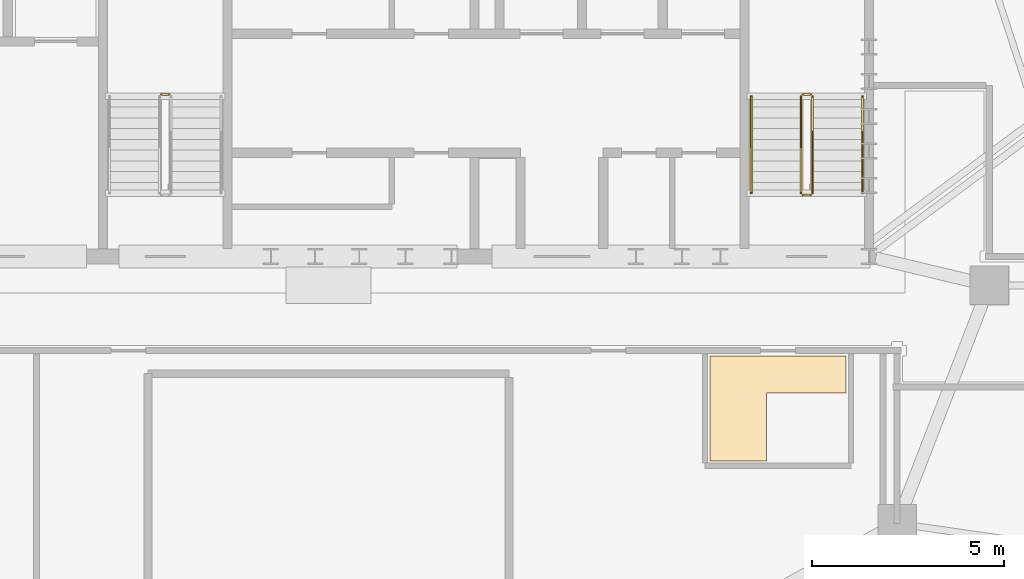
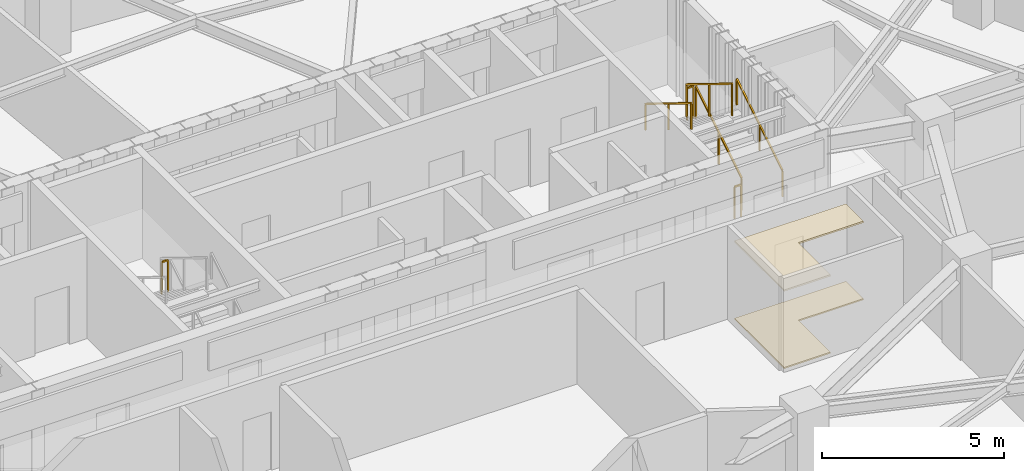
# One storey, part 10 of 10: 7 railings, 2 coverings.
"""IFC4 building model written with IfcOpenShell, lengths in metres."""

from ifc_helpers import new_model, si_unit, direction, frame, origin, origin_2d, place, context, subcontext, project, spatial, polyline, rectangle, outline, extrude, material, layer, layer_set, type_object, element, save


model = new_model("IFC4")

# Units and contexts
model_context = context("Model", 3, precision=1e-05, world=origin(), true_north=direction((0.0, 1.0)))
body_context = subcontext(model_context, "Body", "Model", "MODEL_VIEW")
ifc_project = project(units=[si_unit("LENGTHUNIT", "METRE"), si_unit("AREAUNIT", "SQUARE_METRE"), si_unit("VOLUMEUNIT", "CUBIC_METRE"), si_unit("PLANEANGLEUNIT", "RADIAN"), si_unit("MASSUNIT", "GRAM", prefix="KILO")], contexts=[model_context])

# Site, building, storey
site_placement = place(None, origin())
site = spatial("IfcSite", under=ifc_project, at=site_placement, CompositionType="ELEMENT")
building_placement = place(site_placement, origin())
building = spatial("IfcBuilding", under=site, at=building_placement, Name="Haldorwick Loom Tower", CompositionType="ELEMENT")
storey_placement = place(building_placement, frame((0.0, 0.0, 240.89990234375)))
storey = spatial("IfcBuildingStorey", under=building, at=storey_placement, Name="L65", CompositionType="ELEMENT", Elevation=240.89990234375)

# Coverings
ifc_material_1 = material(Name="Mineral Fibre Acoustic Ceiling Tile")
ifc_layer_1 = layer(ifc_material_1, 0.054931640625, Name="Mineral Fibre Acoustic Ceiling Tile")
ifc_layer_set_1 = layer_set([ifc_layer_1], Name="Mineral Fibre Acoustic Ceiling Tile")
covering_type_1 = type_object("IfcCoveringType", Name="ARC-COV-CEIL2", PredefinedType="CEILING", material=ifc_layer_set_1)
covering_1_placement = place(storey_placement, frame((0.0, 0.0, 2.59521484375)))
element("IfcCovering", 1, at=covering_1_placement, inside=storey, type_object=covering_type_1, Name="L65 Acoustic Suspended Ceiling 2", PredefinedType="CEILING", context=body_context, shape_type="SweptSolid", body=[
    extrude(outline(polyline([(45.929931640625, 24.159912109375), (45.929931640625, 21.429931640625), (47.39990234375, 21.429931640625), (47.39990234375, 23.199951171875), (49.469970703125, 23.199951171875), (49.469970703125, 24.159912109375), (45.929931640625, 24.159912109375)])), origin(), (0.0, 0.0, 1.0), 0.054931640625),
])
ifc_material_2 = material(Name="Polished Aggregate Terrazzo Finish")
ifc_layer_2 = layer(ifc_material_2, 0.044921875, Name="Polished Aggregate Terrazzo Finish")
ifc_layer_set_2 = layer_set([ifc_layer_2], Name="Polished Aggregate Terrazzo Finish")
covering_type_2 = type_object("IfcCoveringType", Name="ARC-COV-FLOOR2", PredefinedType="FLOORING", material=ifc_layer_set_2)
covering_2_placement = place(storey_placement, origin())
element("IfcCovering", 2, at=covering_2_placement, inside=storey, type_object=covering_type_2, Name="L65 Floor Finish 2", PredefinedType="FLOORING", context=body_context, shape_type="SweptSolid", body=[
    extrude(outline(polyline([(45.929931640625, 24.159912109375), (45.929931640625, 21.429931640625), (47.39990234375, 21.429931640625), (47.39990234375, 23.199951171875), (49.469970703125, 23.199951171875), (49.469970703125, 24.159912109375), (45.929931640625, 24.159912109375)])), origin(), (0.0, 0.0, 1.0), 0.045166015625),
])

# Railings
ifc_material_3 = material(Name="Steel CSA G40.21 350W", Category="steel")
railing_type_1 = type_object("IfcRailingType", Name="ARC-RLG-GUARD112", PredefinedType="GUARDRAIL", material=ifc_material_3)
railing_1_placement = place(storey_placement, frame((48.60009765625, 28.39990234375, 0.172607421875)))
element("IfcRailing", 3, at=railing_1_placement, inside=storey, type_object=railing_type_1, Name="L65 ST-02 stair guard 1", PredefinedType="GUARDRAIL", context=body_context, shape_type="SweptSolid", body=[
    extrude(rectangle(XDim=0.048095703125, YDim=0.048095703125, at=origin_2d()), frame((0.0, 0.0, 1.076171875), z_axis=(0.0, 0.851400495292, 0.524516154772), x_axis=(-1.0, 0.0, 0.0)), (0.0, 0.0, 1.0), 2.9599609375),
    extrude(rectangle(XDim=0.0419921875, YDim=0.0419921875, at=origin_2d()), origin(), (0.0, 0.0, 1.0), 1.052001953125),
    extrude(rectangle(XDim=0.0419921875, YDim=0.0419921875, at=origin_2d()), frame((0.0, 1.260009765625, 0.7763671875)), (0.0, 0.0, 1.0), 1.052001953125),
    extrude(rectangle(XDim=0.0419921875, YDim=0.0419921875, at=origin_2d()), frame((0.0, 2.52001953125, 1.552490234375)), (0.0, 0.0, 1.0), 1.052001953125),
])
railing_2_placement = place(storey_placement, frame((48.550048828125, 30.969970703125, 1.72509765625)))
element("IfcRailing", 4, at=railing_2_placement, inside=storey, type_object=railing_type_1, Name="L65 ST-02 stair guard 2", PredefinedType="GUARDRAIL", context=body_context, shape_type="SweptSolid", body=[
    extrude(rectangle(XDim=0.048095703125, YDim=0.048095703125, at=origin_2d()), frame((0.0, 0.0, 1.076171875), z_axis=(-1.0, 0.0, 0.0), x_axis=(0.0, -1.0, 0.0)), (0.0, 0.0, 1.0), 0.199951171875),
    extrude(rectangle(XDim=0.0419921875, YDim=0.0419921875, at=origin_2d()), origin(), (0.0, 0.0, 1.0), 1.052001953125),
    extrude(rectangle(XDim=0.0419921875, YDim=0.0419921875, at=origin_2d()), frame((-0.199951171875, 0.0, 0.0)), (0.0, 0.0, 1.0), 1.052001953125),
])
railing_3_placement = place(storey_placement, frame((48.300048828125, 30.919921875, 1.897705078125)))
element("IfcRailing", 5, at=railing_3_placement, inside=storey, type_object=railing_type_1, Name="L65 ST-02 stair guard 3", PredefinedType="GUARDRAIL", context=body_context, shape_type="SweptSolid", body=[
    extrude(rectangle(XDim=0.048095703125, YDim=0.048095703125, at=origin_2d()), frame((0.0, 0.0, 1.076171875), z_axis=(0.0, -0.851400495292, 0.524516154772), x_axis=(1.0, 0.0, 0.0)), (0.0, 0.0, 1.0), 2.9599609375),
    extrude(rectangle(XDim=0.0419921875, YDim=0.0419921875, at=origin_2d()), origin(), (0.0, 0.0, 1.0), 1.052001953125),
    extrude(rectangle(XDim=0.0419921875, YDim=0.0419921875, at=origin_2d()), frame((0.0, -1.260009765625, 0.7763671875)), (0.0, 0.0, 1.0), 1.052001953125),
    extrude(rectangle(XDim=0.0419921875, YDim=0.0419921875, at=origin_2d()), frame((0.0, -2.52001953125, 1.552490234375)), (0.0, 0.0, 1.0), 1.052001953125),
])
railing_4_placement = place(storey_placement, frame((48.550048828125, 28.35009765625, 0.0)))
element("IfcRailing", 6, at=railing_4_placement, inside=storey, type_object=railing_type_1, Name="L65 ST-02 stair guard 4", PredefinedType="GUARDRAIL", context=body_context, shape_type="SweptSolid", body=[
    extrude(rectangle(XDim=0.048095703125, YDim=0.048095703125, at=origin_2d()), frame((0.0, 0.0, 1.076171875), z_axis=(-1.0, 0.0, 0.0), x_axis=(0.0, -1.0, 0.0)), (0.0, 0.0, 1.0), 0.199951171875),
    extrude(rectangle(XDim=0.0419921875, YDim=0.0419921875, at=origin_2d()), origin(), (0.0, 0.0, 1.0), 1.052001953125),
    extrude(rectangle(XDim=0.0419921875, YDim=0.0419921875, at=origin_2d()), frame((-0.199951171875, 0.0, 0.0)), (0.0, 0.0, 1.0), 1.052001953125),
])
railing_5_placement = place(storey_placement, frame((31.85009765625, 30.969970703125, 1.72509765625)))
element("IfcRailing", 7, at=railing_5_placement, inside=storey, type_object=railing_type_1, Name="L65 ST-03 stair guard 2", PredefinedType="GUARDRAIL", context=body_context, shape_type="SweptSolid", body=[
    extrude(rectangle(XDim=0.048095703125, YDim=0.048095703125, at=origin_2d()), frame((0.0, 0.0, 1.076171875), z_axis=(-1.0, 0.0, 0.0), x_axis=(0.0, -1.0, 0.0)), (0.0, 0.0, 1.0), 0.2001953125),
    extrude(rectangle(XDim=0.0419921875, YDim=0.0419921875, at=origin_2d()), origin(), (0.0, 0.0, 1.0), 1.052001953125),
    extrude(rectangle(XDim=0.0419921875, YDim=0.0419921875, at=origin_2d()), frame((-0.2001953125, 0.0, 0.0)), (0.0, 0.0, 1.0), 1.052001953125),
])
railing_type_2 = type_object("IfcRailingType", Name="ARC-RLG-HAND092", PredefinedType="HANDRAIL", material=ifc_material_3)
railing_6_placement = place(storey_placement, frame((49.89990234375, 28.39990234375, 0.172607421875)))
element("IfcRailing", 8, at=railing_6_placement, inside=storey, type_object=railing_type_2, Name="L65 ST-02 stair handrail 1", PredefinedType="HANDRAIL", context=body_context, shape_type="SweptSolid", body=[
    extrude(rectangle(XDim=0.048095703125, YDim=0.048095703125, at=origin_2d()), frame((0.0, 0.0, 0.8759765625), z_axis=(0.0, 0.851400495292, 0.524516154772), x_axis=(-1.0, 0.0, 0.0)), (0.0, 0.0, 1.0), 2.9599609375),
    extrude(rectangle(XDim=0.0419921875, YDim=0.0419921875, at=origin_2d()), origin(), (0.0, 0.0, 1.0), 0.851806640625),
    extrude(rectangle(XDim=0.0419921875, YDim=0.0419921875, at=origin_2d()), frame((0.0, 1.260009765625, 0.7763671875)), (0.0, 0.0, 1.0), 0.851806640625),
    extrude(rectangle(XDim=0.0419921875, YDim=0.0419921875, at=origin_2d()), frame((0.0, 2.52001953125, 1.552490234375)), (0.0, 0.0, 1.0), 0.851806640625),
])
railing_7_placement = place(storey_placement, frame((47.0, 30.919921875, 1.897705078125)))
element("IfcRailing", 9, at=railing_7_placement, inside=storey, type_object=railing_type_2, Name="L65 ST-02 stair handrail 2", PredefinedType="HANDRAIL", context=body_context, shape_type="SweptSolid", body=[
    extrude(rectangle(XDim=0.048095703125, YDim=0.048095703125, at=origin_2d()), frame((0.0, 0.0, 0.8759765625), z_axis=(0.0, -0.851400495292, 0.524516154772), x_axis=(1.0, 0.0, 0.0)), (0.0, 0.0, 1.0), 2.9599609375),
    extrude(rectangle(XDim=0.0419921875, YDim=0.0419921875, at=origin_2d()), origin(), (0.0, 0.0, 1.0), 0.851806640625),
    extrude(rectangle(XDim=0.0419921875, YDim=0.0419921875, at=origin_2d()), frame((0.0, -1.260009765625, 0.7763671875)), (0.0, 0.0, 1.0), 0.851806640625),
    extrude(rectangle(XDim=0.0419921875, YDim=0.0419921875, at=origin_2d()), frame((0.0, -2.52001953125, 1.552490234375)), (0.0, 0.0, 1.0), 0.851806640625),
])

save(model, "model.ifc")
